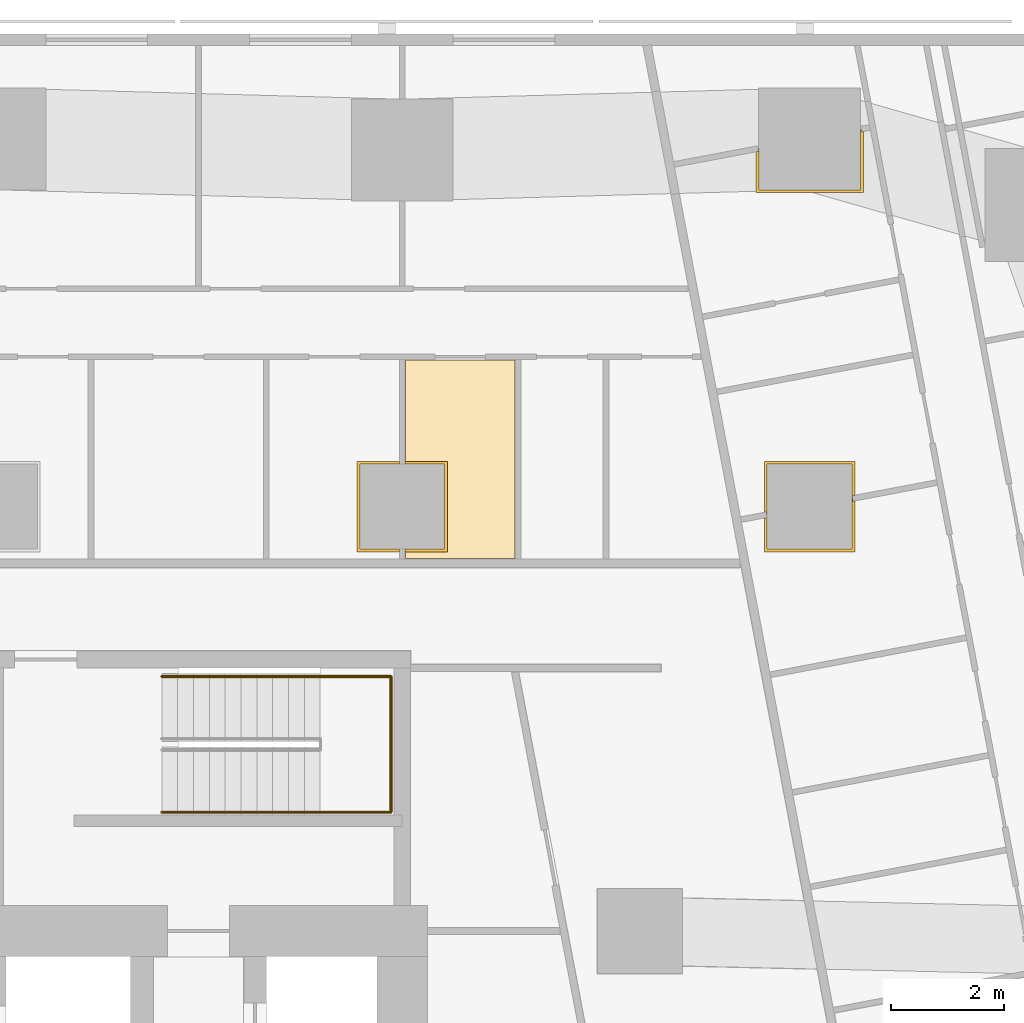
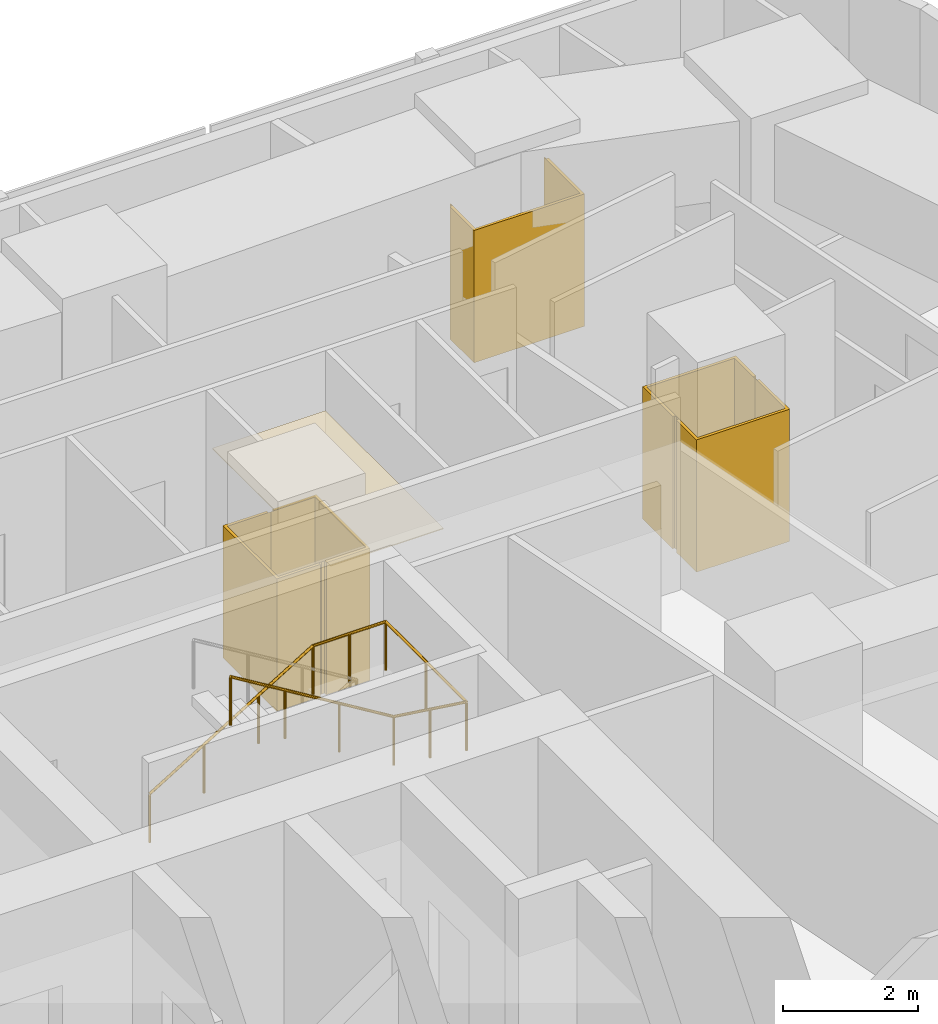
# One storey, part 15 of 15: 6 coverings, 1 railing.
"""IFC4 building model written with IfcOpenShell, lengths in metres."""

from ifc_helpers import new_model, si_unit, direction, frame, origin, origin_2d, place, context, subcontext, project, spatial, polyline, circle, outline, extrude, material, layer, layer_set, type_object, element, save


model = new_model("IFC4")

# Units and contexts
model_context = context("Model", 3, precision=1e-05, world=origin(), true_north=direction((0.0, 1.0)))
body_context = subcontext(model_context, "Body", "Model", "MODEL_VIEW")
ifc_project = project(units=[si_unit("LENGTHUNIT", "METRE"), si_unit("AREAUNIT", "SQUARE_METRE"), si_unit("VOLUMEUNIT", "CUBIC_METRE"), si_unit("PLANEANGLEUNIT", "RADIAN"), si_unit("MASSUNIT", "GRAM", prefix="KILO")], contexts=[model_context])

# Site, building, storey
site_placement = place(None, origin())
site = spatial("IfcSite", under=ifc_project, at=site_placement, CompositionType="ELEMENT")
building_placement = place(site_placement, origin())
building = spatial("IfcBuilding", under=site, at=building_placement, Name="Sheger Commons Tower", CompositionType="ELEMENT")
storey_placement = place(building_placement, frame((0.0, 0.0, 162.050048828125)))
storey = spatial("IfcBuildingStorey", under=building, at=storey_placement, Name="L41", CompositionType="ELEMENT", Elevation=162.050048828125)

# Railing
ifc_material_1 = material(Name="Steel handrail, black powder-coated", Category="steel")
railing_type = type_object("IfcRailingType", Name="HANDRAIL 900", PredefinedType="HANDRAIL", material=ifc_material_1)
railing_placement = place(storey_placement, frame((24.550048828125, 34.5, 0.17041015625)))
element("IfcRailing", 1, at=railing_placement, inside=storey, type_object=railing_type, Name="Stair S2 handrail L41", PredefinedType="HANDRAIL", context=body_context, shape_type="SweptSolid", body=[
    extrude(circle(Radius=0.02392578125, at=origin_2d()), frame((0.0, 0.0, 0.8759765625), z_axis=(0.854169791009, 0.0, 0.51999420009), x_axis=(0.0, 1.0, 0.0)), (0.0, 0.0, 1.0), 3.278076171875),
    extrude(circle(Radius=0.02392578125, at=origin_2d()), frame((2.800048828125, 0.0, 2.58056640625), z_axis=(1.0, 0.0, 0.0), x_axis=(0.0, 1.0, 0.0)), (0.0, 0.0, 1.0), 1.25),
    extrude(circle(Radius=0.02392578125, at=origin_2d()), frame((4.050048828125, 0.0, 2.58056640625), z_axis=(0.0, -1.0, 0.0), x_axis=(1.0, 0.0, 0.0)), (0.0, 0.0, 1.0), 2.39990234375),
    extrude(circle(Radius=0.02392578125, at=origin_2d()), frame((4.050048828125, -2.39990234375, 2.58056640625), z_axis=(-0.990834877927, 0.0, 0.135078661092), x_axis=(0.0, -1.0, 0.0)), (0.0, 0.0, 1.0), 1.261474609375),
    extrude(circle(Radius=0.02392578125, at=origin_2d()), frame((2.800048828125, -2.39990234375, 2.7509765625), z_axis=(-0.854169791009, 0.0, 0.51999420009), x_axis=(0.0, -1.0, 0.0)), (0.0, 0.0, 1.0), 3.278076171875),
    extrude(circle(Radius=0.02099609375, at=origin_2d()), origin(), (0.0, 0.0, 1.0), 0.851806640625),
    extrude(circle(Radius=0.02099609375, at=origin_2d()), frame((0.933349609375, 0.0, 0.568115234375)), (0.0, 0.0, 1.0), 0.851806640625),
    extrude(circle(Radius=0.02099609375, at=origin_2d()), frame((1.86669921875, 0.0, 1.136474609375)), (0.0, 0.0, 1.0), 0.851806640625),
    extrude(circle(Radius=0.02099609375, at=origin_2d()), frame((2.800048828125, 0.0, 1.70458984375)), (0.0, 0.0, 1.0), 0.851806640625),
    extrude(circle(Radius=0.02099609375, at=origin_2d()), frame((3.425048828125, 0.0, 1.70458984375)), (0.0, 0.0, 1.0), 0.851806640625),
    extrude(circle(Radius=0.02099609375, at=origin_2d()), frame((4.050048828125, 0.0, 1.70458984375)), (0.0, 0.0, 1.0), 0.851806640625),
    extrude(circle(Radius=0.02099609375, at=origin_2d()), frame((4.050048828125, -1.199951171875, 1.70458984375)), (0.0, 0.0, 1.0), 0.851806640625),
    extrude(circle(Radius=0.02099609375, at=origin_2d()), frame((4.050048828125, -2.39990234375, 1.70458984375)), (0.0, 0.0, 1.0), 0.851806640625),
    extrude(circle(Radius=0.02099609375, at=origin_2d()), frame((3.425048828125, -2.39990234375, 1.789794921875)), (0.0, 0.0, 1.0), 0.851806640625),
    extrude(circle(Radius=0.02099609375, at=origin_2d()), frame((2.800048828125, -2.39990234375, 1.875)), (0.0, 0.0, 1.0), 0.851806640625),
    extrude(circle(Radius=0.02099609375, at=origin_2d()), frame((1.86669921875, -2.39990234375, 2.443115234375)), (0.0, 0.0, 1.0), 0.851806640625),
    extrude(circle(Radius=0.02099609375, at=origin_2d()), frame((0.933349609375, -2.39990234375, 3.011474609375)), (0.0, 0.0, 1.0), 0.851806640625),
    extrude(circle(Radius=0.02099609375, at=origin_2d()), frame((0.0, -2.39990234375, 3.57958984375)), (0.0, 0.0, 1.0), 0.851806640625),
])

# Coverings
ifc_material_2 = material(Name="Moisture-resistant gypsum plasterboard 15 mm on a suspended galvanised steel grid", Category="steel")
ifc_layer_1 = layer(ifc_material_2, 0.014892578125)
ifc_layer_set_1 = layer_set([ifc_layer_1], Name="MOISTURE-RESISTANT CEILING 15")
covering_type_1 = type_object("IfcCoveringType", Name="MOISTURE-RESISTANT CEILING 15", PredefinedType="CEILING", material=ifc_layer_set_1)
covering_1_placement = place(storey_placement, frame((0.0, 0.0, 2.39990234375)))
element("IfcCovering", 2, at=covering_1_placement, inside=storey, type_object=covering_type_1, Name="L41-11.B3 ceiling", PredefinedType="CEILING", context=body_context, shape_type="SweptSolid", body=[
    extrude(outline(polyline([(28.85498046875, 36.580078125), (30.794921875, 36.580078125), (30.794921875, 40.094970703125), (28.85498046875, 40.094970703125), (28.85498046875, 38.2548828125), (29.554931640625, 38.2548828125), (29.554931640625, 36.7451171875), (28.85498046875, 36.7451171875), (28.85498046875, 36.580078125)])), origin(), (0.0, 0.0, 1.0), 0.01513671875),
])
ifc_material_3 = material(Name="Moisture-resistant gypsum board 12.5 mm on 25 mm treated timber battens, tanked and tiled", Category="wood")
ifc_layer_2 = layer(ifc_material_3, 0.050048828125)
ifc_layer_set_2 = layer_set([ifc_layer_2], Name="WET-ROOM COLUMN LINING")
covering_type_2 = type_object("IfcCoveringType", Name="WET-ROOM COLUMN LINING", PredefinedType="CLADDING", material=ifc_layer_set_2)
covering_2_placement = place(storey_placement, origin())
element("IfcCovering", 3, at=covering_2_placement, inside=storey, type_object=covering_type_2, Name="Laundry room column lining C10 L41", PredefinedType="CLADDING", context=body_context, shape_type="SweptSolid", body=[
    extrude(outline(polyline([(28.75, 38.300048828125), (28.75, 38.2509765625), (28.800048828125, 38.2509765625), (28.800048828125, 38.25), (28.050048828125, 38.25), (28.050048828125, 36.75), (28.800048828125, 36.75), (28.800048828125, 36.7490234375), (28.75, 36.7490234375), (28.75, 36.699951171875), (28.0, 36.699951171875), (28.0, 38.300048828125), (28.75, 38.300048828125)])), origin(), (0.0, 0.0, 1.0), 2.39990234375),
])
covering_3_placement = place(storey_placement, origin())
element("IfcCovering", 4, at=covering_3_placement, inside=storey, type_object=covering_type_2, Name="Bathroom column lining C10 L41", PredefinedType="CLADDING", context=body_context, shape_type="SweptSolid", body=[
    extrude(outline(polyline([(29.60009765625, 36.699951171875), (28.85009765625, 36.699951171875), (28.85009765625, 36.7490234375), (28.800048828125, 36.7490234375), (28.800048828125, 36.75), (29.550048828125, 36.75), (29.550048828125, 38.25), (28.800048828125, 38.25), (28.800048828125, 38.2509765625), (28.85009765625, 38.2509765625), (28.85009765625, 38.300048828125), (29.60009765625, 38.300048828125), (29.60009765625, 36.699951171875)])), origin(), (0.0, 0.0, 1.0), 2.39990234375),
])
covering_4_placement = place(storey_placement, origin())
element("IfcCovering", 5, at=covering_4_placement, inside=storey, type_object=covering_type_2, Name="Store and laundry column lining C10 L41", PredefinedType="CLADDING", context=body_context, shape_type="SweptSolid", body=[
    extrude(outline(polyline([(35.25, 37.35888671875), (35.25, 36.75), (36.75, 36.75), (36.75, 37.64208984375), (36.760009765625, 37.64404296875), (36.76904296875, 37.594970703125), (36.800048828125, 37.60107421875), (36.800048828125, 36.699951171875), (35.199951171875, 36.699951171875), (35.199951171875, 37.299072265625), (35.2490234375, 37.30810546875), (35.239990234375, 37.35693359375), (35.25, 37.35888671875)])), origin(), (0.0, 0.0, 1.0), 2.39990234375),
])
covering_5_placement = place(storey_placement, origin())
element("IfcCovering", 6, at=covering_5_placement, inside=storey, type_object=covering_type_2, Name="Store and laundry column lining C10 L41", PredefinedType="CLADDING", context=body_context, shape_type="SweptSolid", body=[
    extrude(outline(polyline([(36.800048828125, 38.300048828125), (36.800048828125, 37.701904296875), (36.7509765625, 37.693115234375), (36.760009765625, 37.64404296875), (36.75, 37.64208984375), (36.75, 38.25), (35.25, 38.25), (35.25, 37.35888671875), (35.239990234375, 37.35693359375), (35.23095703125, 37.406005859375), (35.199951171875, 37.39990234375), (35.199951171875, 38.300048828125), (36.800048828125, 38.300048828125)])), origin(), (0.0, 0.0, 1.0), 2.39990234375),
])
covering_6_placement = place(storey_placement, origin())
element("IfcCovering", 7, at=covering_6_placement, inside=storey, type_object=covering_type_2, Name="Store and laundry column lining C8 L41", PredefinedType="CLADDING", context=body_context, shape_type="SweptSolid", body=[
    extrude(outline(polyline([(35.10009765625, 43.830078125), (35.10009765625, 43.10009765625), (36.89990234375, 43.10009765625), (36.89990234375, 44.1708984375), (36.909912109375, 44.173095703125), (36.9189453125, 44.123046875), (36.949951171875, 44.12890625), (36.949951171875, 43.050048828125), (35.050048828125, 43.050048828125), (35.050048828125, 43.77001953125), (35.09912109375, 43.779052734375), (35.090087890625, 43.827880859375), (35.10009765625, 43.830078125)])), origin(), (0.0, 0.0, 1.0), 2.39990234375),
])

save(model, "model.ifc")
